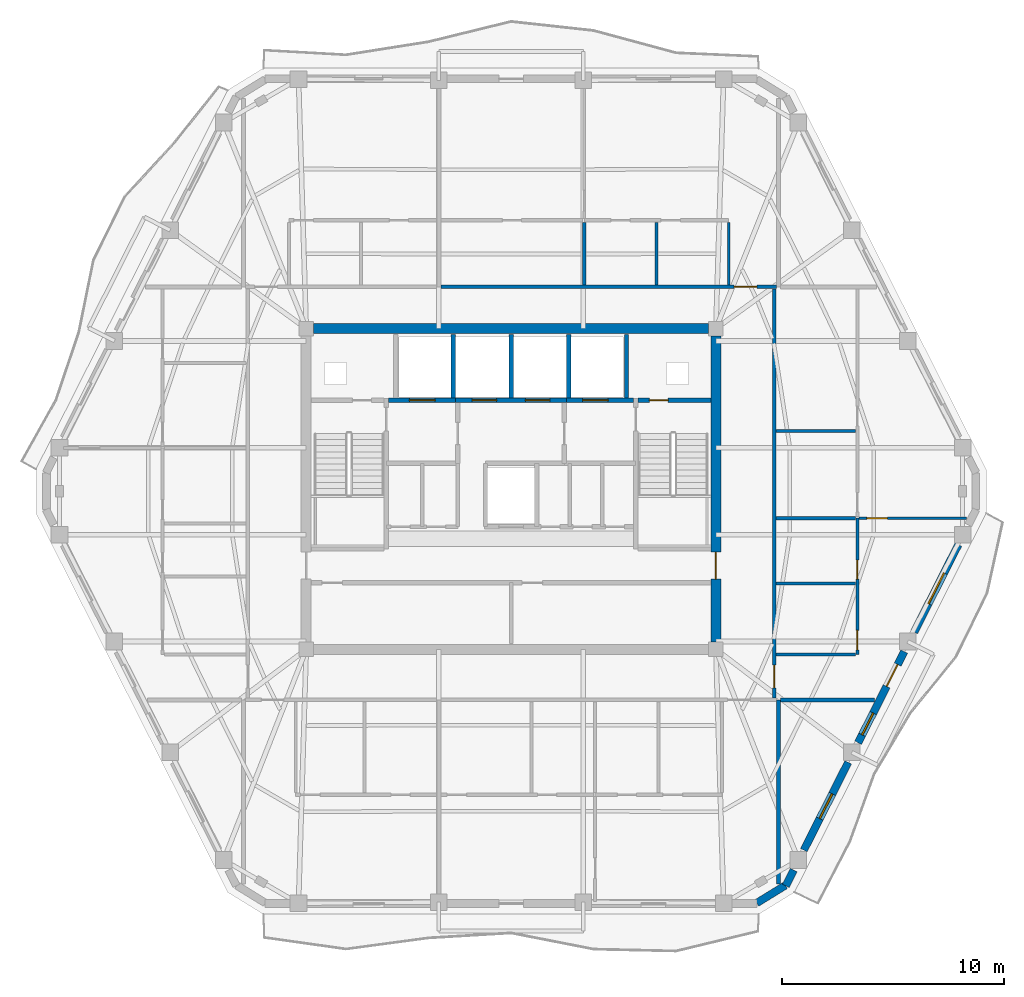
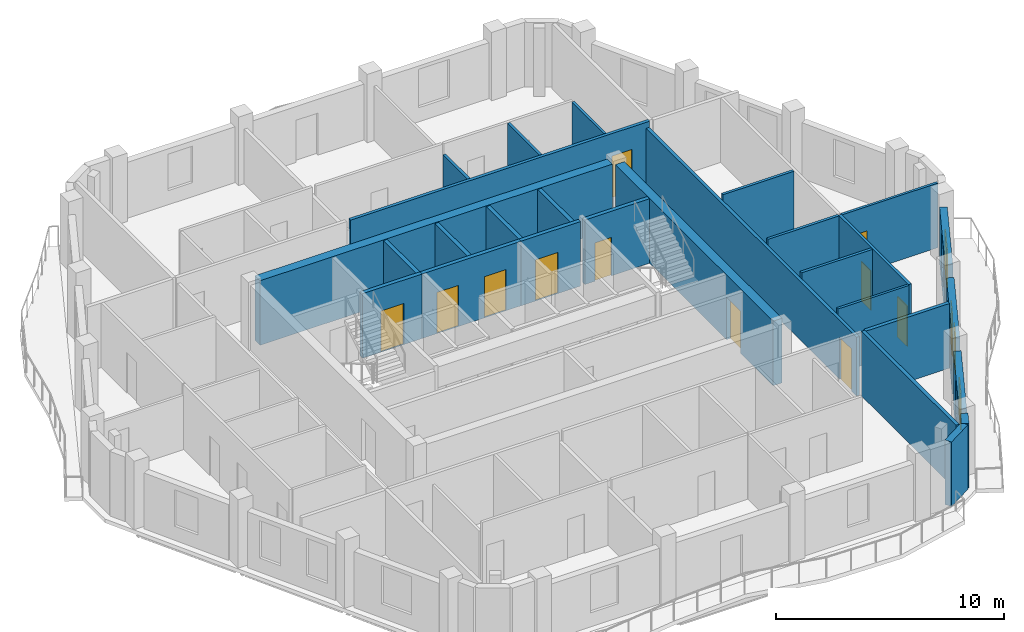
# One storey, part 6 of 11: 28 walls, 12 doors, 3 windows, 15 openings.
"""IFC4 building model written with IfcOpenShell, lengths in metres."""

import ifcopenshell
import ifcopenshell.guid

model = None  # the IFC model being written
_history = None  # IfcOwnerHistory: only IFC2X3 demands one
_inside = {}  # id of a spatial element -> (the spatial element, [elements in it])
_under = {}  # id of a project, library or spatial element -> (it, [spatial elements below it])
_declared = {}  # id of a project -> (the project, [libraries it declares])
_typed = {}  # id of a type object -> (the type object, [elements of that type])
_made_of = {}  # id of a material, layer set ... -> (it, [elements and type objects made of it])


def new_model(schema):
    """Start an empty IFC model of exactly this schema.

    Asked for "IFC4X3", IfcOpenShell would pick the latest addendum, in which some entities
    have other attributes; the version numbers below select the first issue.
    IFC2X3 requires an IfcOwnerHistory on every rooted entity: one is made here for all.
    """
    global model, _history
    if schema == "IFC4X3":
        model = ifcopenshell.file(schema_version=(4, 3, 0, 0))
    else:
        model = ifcopenshell.file(schema=schema)
    _inside.clear()
    _under.clear()
    _declared.clear()
    _typed.clear()
    _made_of.clear()
    _history = None
    if model.schema == "IFC2X3":
        org = make("IfcOrganization", Name="unknown")
        user = make(
            "IfcPersonAndOrganization",
            ThePerson=make("IfcPerson", FamilyName="unknown"),
            TheOrganization=org,
        )
        app = make(
            "IfcApplication",
            ApplicationDeveloper=org,
            Version="unknown",
            ApplicationFullName="unknown",
            ApplicationIdentifier="unknown",
        )
        _history = make(
            "IfcOwnerHistory",
            OwningUser=user,
            OwningApplication=app,
            ChangeAction="ADDED",
            CreationDate=0,
        )
    return model


def make(cls, **values):
    """One entity of the class cls with the attributes given. An attribute that is None is left unset."""
    return model.create_entity(
        cls, **{name: value for name, value in values.items() if value is not None}
    )


def rooted(cls, **values):
    """An entity with a GlobalId (a new one), such as an element, a storey or a relation."""
    return make(cls, GlobalId=ifcopenshell.guid.new(), OwnerHistory=_history, **values)


def si_unit(unit_type, name, prefix=None):
    """IfcSIUnit, for example si_unit("LENGTHUNIT", "METRE", prefix="MILLI")."""
    return make("IfcSIUnit", UnitType=unit_type, Prefix=prefix, Name=name)


def assignment(units):
    """IfcUnitAssignment: the units of a project."""
    return None if units is None else make("IfcUnitAssignment", Units=units)


def point(xyz):
    """IfcCartesianPoint."""
    return None if xyz is None else make("IfcCartesianPoint", Coordinates=xyz)


def direction(xyz):
    """IfcDirection."""
    return None if xyz is None else make("IfcDirection", DirectionRatios=xyz)


def frame(location, z_axis=None, x_axis=None):
    """IfcAxis2Placement3D, a coordinate frame: its origin and axes. An axis left out is left unset."""
    return make(
        "IfcAxis2Placement3D",
        Location=point(location),
        Axis=direction(z_axis),
        RefDirection=direction(x_axis),
    )


def frame_2d(location, x_axis=None):
    """IfcAxis2Placement2D, a coordinate frame in the plane: its origin and x axis."""
    return make(
        "IfcAxis2Placement2D", Location=point(location), RefDirection=direction(x_axis)
    )


def origin():
    """The frame at (0, 0, 0) with its axes left unset."""
    return frame((0.0, 0.0, 0.0))


def place(relative_to, where):
    """IfcLocalPlacement: puts the frame where relative to a parent placement (None: the world)."""
    return make(
        "IfcLocalPlacement", PlacementRelTo=relative_to, RelativePlacement=where
    )


def context(
    kind, dimensions, precision=None, world=None, true_north=None, identifier=None
):
    """IfcGeometricRepresentationContext, for example the 3D "Model" context."""
    return make(
        "IfcGeometricRepresentationContext",
        ContextIdentifier=identifier,
        ContextType=kind,
        CoordinateSpaceDimension=dimensions,
        Precision=precision,
        WorldCoordinateSystem=world,
        TrueNorth=true_north,
    )


def subcontext(parent, identifier, kind, view, scale=None):
    """IfcGeometricRepresentationSubContext, for example "Body" below "Model"."""
    return make(
        "IfcGeometricRepresentationSubContext",
        ContextIdentifier=identifier,
        ContextType=kind,
        ParentContext=parent,
        TargetScale=scale,
        TargetView=view,
    )


def project(units=None, contexts=None):
    """IfcProject with its units and contexts."""
    return rooted(
        "IfcProject",
        Name="project",
        RepresentationContexts=contexts,
        UnitsInContext=assignment(units),
    )


def spatial(cls, under=None, at=None, **own):
    """A site, building, storey or space (cls), placed at a placement, below another one or the project."""
    s = rooted(cls, ObjectPlacement=at, **own)
    if under is not None:
        _under.setdefault(under.id(), (under, []))[1].append(s)
    return s


def profile(cls, at=None, kind="AREA", **sizes):
    """A parametric profile (cls). Its sizes go by their IFC names, for example OverallWidth=200.0."""
    return make(cls, ProfileType=kind, Position=at, **sizes)


def rectangle(**sizes):
    """IfcRectangleProfileDef."""
    return profile("IfcRectangleProfileDef", **sizes)


def extrude(swept, where, along, depth):
    """IfcExtrudedAreaSolid: the profile swept, set in the frame where, extruded along a direction by depth."""
    return make(
        "IfcExtrudedAreaSolid",
        SweptArea=swept,
        Position=where,
        ExtrudedDirection=direction(along),
        Depth=depth,
    )


def shape(context_of_items, identifier, shape_type, items):
    """IfcShapeRepresentation: the items that make up one representation, for example the "Body"."""
    return make(
        "IfcShapeRepresentation",
        ContextOfItems=context_of_items,
        RepresentationIdentifier=identifier,
        RepresentationType=shape_type,
        Items=items,
    )


def material(Name=None, Category=None):
    """IfcMaterial."""
    return make("IfcMaterial", Name=Name, Category=Category)


def layer(
    of_material, thickness, ventilated=None, Name=None, Category=None, Priority=None
):
    """IfcMaterialLayer: one layer of a wall or slab, of a material (None: an air gap)."""
    return make(
        "IfcMaterialLayer",
        Material=of_material,
        LayerThickness=thickness,
        IsVentilated=ventilated,
        Name=Name,
        Category=Category,
        Priority=Priority,
    )


def layer_set(layers, Name=None):
    """IfcMaterialLayerSet."""
    return make("IfcMaterialLayerSet", MaterialLayers=layers, LayerSetName=Name)


def made_of(thing, what):
    """Note that an element or type object is made of a material, layer set ...; save() writes the relation."""
    if what is not None:
        _made_of.setdefault(what.id(), (what, []))[1].append(thing)
    return thing


def type_object(cls, material=None, **own):
    """A type object (cls), such as IfcWallType, which elements share."""
    return made_of(rooted(cls, **own), material)


def element(
    cls,
    number,
    at=None,
    inside=None,
    cuts=None,
    type_object=None,
    material=None,
    context=None,
    identifier="Body",
    shape_type=None,
    held_by="IfcProductDefinitionShape",
    body=None,
    shapes=None,
    **own,
):
    """One element of the class cls, such as IfcWall. Its Tag is "e" and its number.

    at: its placement. inside: the storey or other place that contains it. cuts: it is an
    opening in that element (IfcRelVoidsElement). A single representation is given by context,
    identifier, shape_type and body (its items); several are given by shapes. held_by: the class
    of the entity that holds the representations. save() writes the other relations.
    """
    e = rooted(cls, Tag="e%d" % number, ObjectPlacement=at, **own)
    if body is not None:
        shapes = [shape(context, identifier, shape_type, body)]
    if shapes is not None:
        e.Representation = make(held_by, Representations=shapes)
    if inside is not None:
        _inside.setdefault(inside.id(), (inside, []))[1].append(e)
    if cuts is not None:
        rooted(
            "IfcRelVoidsElement", RelatingBuildingElement=cuts, RelatedOpeningElement=e
        )
    if type_object is not None:
        _typed.setdefault(type_object.id(), (type_object, []))[1].append(e)
    return made_of(e, material)


def fill(opening, filler):
    """IfcRelFillsElement: the door or window that sits in an opening."""
    return rooted(
        "IfcRelFillsElement",
        RelatingOpeningElement=opening,
        RelatedBuildingElement=filler,
    )


def aggregate(whole, parts):
    """IfcRelAggregates: a whole, such as a stair, and the parts it consists of."""
    return rooted("IfcRelAggregates", RelatingObject=whole, RelatedObjects=parts)


def save(model, path):
    """Write the relations noted so far, then the file.

    IfcRelAggregates (storeys below a building ...), IfcRelContainedInSpatialStructure (elements
    in a storey), IfcRelDefinesByType, IfcRelAssociatesMaterial and IfcRelDeclares: one each for
    every whole, place, type object, material and project.
    """
    for whole, parts in _under.values():
        aggregate(whole, parts)
    for where, things in _inside.values():
        rooted(
            "IfcRelContainedInSpatialStructure",
            RelatedElements=things,
            RelatingStructure=where,
        )
    for kind, things in _typed.values():
        rooted("IfcRelDefinesByType", RelatedObjects=things, RelatingType=kind)
    for what, things in _made_of.values():
        rooted("IfcRelAssociatesMaterial", RelatedObjects=things, RelatingMaterial=what)
    for by, libraries in _declared.values():
        rooted("IfcRelDeclares", RelatingContext=by, RelatedDefinitions=libraries)
    model.write(path)


model = new_model("IFC4")

# Units and contexts
model_context = context("Model", 3, precision=1e-05, world=origin(), true_north=direction((0.0, 1.0)))
body_context = subcontext(model_context, "Body", "Model", "MODEL_VIEW")
ifc_project = project(units=[si_unit("LENGTHUNIT", "METRE"), si_unit("AREAUNIT", "SQUARE_METRE"), si_unit("VOLUMEUNIT", "CUBIC_METRE"), si_unit("PLANEANGLEUNIT", "RADIAN"), si_unit("MASSUNIT", "GRAM", prefix="KILO")], contexts=[model_context])

# Site, building, storey
site_placement = place(None, origin())
site = spatial("IfcSite", under=ifc_project, at=site_placement, CompositionType="ELEMENT")
building_placement = place(site_placement, origin())
building = spatial("IfcBuilding", under=site, at=building_placement, Name="Cinnabar Lancet Tower", CompositionType="ELEMENT")
storey_placement = place(building_placement, frame((0.0, 0.0, 230.64990234375)))
storey = spatial("IfcBuildingStorey", under=building, at=storey_placement, Name="L61", CompositionType="ELEMENT", Elevation=230.64990234375)

# Wall, opening, door
ifc_material_1 = material(Name="Acoustic twin-stud gypsum partition", Category="gypsum")
ifc_layer_1 = layer(ifc_material_1, 0.159912109375)
ifc_layer_set_1 = layer_set([ifc_layer_1], Name="Acoustic twin-stud gypsum partition")
wall_type_1 = type_object("IfcWallType", Name="ARC-WL-CORR-160", PredefinedType="PARTITIONING", material=ifc_layer_set_1)
wall_1_placement = place(storey_placement, frame((29.240966796875, 35.0, 0.0), z_axis=(0.0, 0.0, 1.0), x_axis=(1.0, 0.0, 0.0)))
wall_1 = element("IfcWall", 1, at=wall_1_placement, inside=storey, type_object=wall_type_1, Name="L61 Unit N02 Corridor Wall", PredefinedType="PARTITIONING", context=body_context, shape_type="SweptSolid", body=[
    extrude(rectangle(XDim=15.114013671875, YDim=0.159912109375, at=frame_2d((7.55712890625, 0.0))), origin(), (0.0, 0.0, 1.0), 3.4501953125),
])
opening_1_placement = place(wall_1_placement, frame((13.208984375, 0.0, 0.0)))
opening_1 = element("IfcOpeningElement", 2, at=opening_1_placement, cuts=wall_1, Name="Opening UD-01", PredefinedType="OPENING", context=body_context, shape_type="SweptSolid", body=[
    extrude(rectangle(XDim=1.02001953125, YDim=2.25, at=frame_2d((0.510009765625, 1.125))), frame((0.0, 0.08984375, 0.0), z_axis=(0.0, -1.0, 0.0), x_axis=(1.0, 0.0, 0.0)), (0.0, 0.0, 1.0), 0.179931640625),
])
ifc_material_2 = material(Name="Solid timber fire-rated apartment entrance door", Category="wood")
door_type_1 = type_object("IfcDoorType", Name="ARC-DR-UNIT", OperationType="NOTDEFINED", PredefinedType="DOOR", material=ifc_material_2)
door_1_placement = place(opening_1_placement, origin())
door_1 = element("IfcDoor", 3, at=door_1_placement, inside=storey, type_object=door_type_1, Name="DR-L61-N02-ENT", OperationType="SINGLE_SWING_LEFT", OverallHeight=2.25, OverallWidth=1.02001953125, PredefinedType="DOOR", context=body_context, shape_type="SweptSolid", body=[
    extrude(rectangle(XDim=1.02001953125, YDim=2.25, at=frame_2d((0.510009765625, 1.125))), frame((0.0, 0.02490234375, 0.0), z_axis=(0.0, -1.0, 0.0), x_axis=(1.0, 0.0, 0.0)), (0.0, 0.0, 1.0), 0.050048828125),
])
fill(opening_1, door_1)

wall_2_placement = place(storey_placement, frame((44.25, 16.4951171875, 0.0), z_axis=(0.0, 0.0, 1.0), x_axis=(0.0, 1.0, 0.0)))
wall_2 = element("IfcWall", 4, at=wall_2_placement, inside=storey, type_object=wall_type_1, Name="UW-L61-E01-COR", PredefinedType="PARTITIONING", context=body_context, shape_type="SweptSolid", body=[
    extrude(rectangle(XDim=18.409912109375, YDim=0.159912109375, at=frame_2d((9.205078125, 0.0))), origin(), (0.0, 0.0, 1.0), 3.13720703125),
])
opening_2_placement = place(wall_2_placement, frame((0.449951171875, 0.0, 0.0)))
opening_2 = element("IfcOpeningElement", 5, at=opening_2_placement, cuts=wall_2, Name="Opening UD-01", PredefinedType="OPENING", context=body_context, shape_type="SweptSolid", body=[
    extrude(rectangle(XDim=1.02001953125, YDim=2.25, at=frame_2d((0.510009765625, 1.125))), frame((0.0, 0.08984375, 0.0), z_axis=(0.0, -1.0, 0.0), x_axis=(1.0, 0.0, 0.0)), (0.0, 0.0, 1.0), 0.179931640625),
])
door_2_placement = place(opening_2_placement, origin())
door_2 = element("IfcDoor", 6, at=door_2_placement, inside=storey, type_object=door_type_1, Name="DR-L61-E01-ENT", OperationType="SINGLE_SWING_RIGHT", OverallHeight=2.25, OverallWidth=1.02001953125, PredefinedType="DOOR", context=body_context, shape_type="SweptSolid", body=[
    extrude(rectangle(XDim=1.02001953125, YDim=2.25, at=frame_2d((0.510009765625, 1.125))), frame((0.0, 0.02490234375, 0.0), z_axis=(0.0, -1.0, 0.0), x_axis=(1.0, 0.0, 0.0)), (0.0, 0.0, 1.0), 0.050048828125),
])
fill(opening_2, door_2)

# Walls
ifc_material_3 = material(Name="Fire-rated twin-frame acoustic drywall", Category="gypsum")
ifc_layer_2 = layer(ifc_material_3, 0.179931640625)
ifc_layer_set_2 = layer_set([ifc_layer_2], Name="Fire-rated twin-frame acoustic drywall")
wall_type_2 = type_object("IfcWallType", Name="ARC-WL-PARTY-180", PredefinedType="PARTITIONING", material=ifc_layer_set_2)
wall_3_placement = place(storey_placement, frame((44.449951171875, 8.118896484375, 0.0), z_axis=(0.0, 0.0, 1.0), x_axis=(0.0, 1.0, 0.0)))
element("IfcWall", 7, at=wall_3_placement, inside=storey, type_object=wall_type_2, Name="PW-L61-SPTY-444", PredefinedType="PARTITIONING", context=body_context, shape_type="SweptSolid", body=[
    extrude(rectangle(XDim=8.281005859375, YDim=0.179931640625, at=frame_2d((4.140625, 0.0))), origin(), (0.0, 0.0, 1.0), 3.4501953125),
])
wall_4_placement = place(storey_placement, frame((44.544921875, 16.39990234375, 0.0), z_axis=(0.0, 0.0, 1.0), x_axis=(1.0, 0.0, 0.0)))
element("IfcWall", 8, at=wall_4_placement, inside=storey, type_object=wall_type_2, Name="PW-L61-ESB", PredefinedType="PARTITIONING", context=body_context, shape_type="SweptSolid", body=[
    extrude(rectangle(XDim=4.22119140625, YDim=0.179931640625, at=frame_2d((2.110595703125, 0.0))), origin(), (0.0, 0.0, 1.0), 3.4501953125),
])

# Wall, opening, door
ifc_material_4 = material(Name="Autoclaved aerated concrete blockwork", Category="masonry")
ifc_layer_3 = layer(ifc_material_4, 0.199951171875)
ifc_layer_set_3 = layer_set([ifc_layer_3], Name="Autoclaved aerated concrete blockwork")
wall_type_3 = type_object("IfcWallType", Name="ARC-WL-SHAFT-200", PredefinedType="PLUMBINGWALL", material=ifc_layer_set_3)
wall_5_placement = place(storey_placement, frame((26.885009765625, 29.89990234375, 0.0), z_axis=(0.0, 0.0, 1.0), x_axis=(1.0, 0.0, 0.0)))
wall_5 = element("IfcWall", 9, at=wall_5_placement, inside=storey, type_object=wall_type_3, Name="CW-FL1-L61", PredefinedType="PLUMBINGWALL", context=body_context, shape_type="SweptSolid", body=[
    extrude(rectangle(XDim=3.014892578125, YDim=0.199951171875, at=frame_2d((1.50732421875, 0.0))), origin(), (0.0, 0.0, 1.0), 3.4501953125),
])
opening_3_placement = place(wall_5_placement, frame((0.93994140625, 0.0, 0.0)))
opening_3 = element("IfcOpeningElement", 10, at=opening_3_placement, cuts=wall_5, Name="Opening LD-02", PredefinedType="OPENING", context=body_context, shape_type="SweptSolid", body=[
    extrude(rectangle(XDim=1.14990234375, YDim=2.199951171875, at=frame_2d((0.574951171875, 1.10009765625))), frame((0.0, 0.10986328125, 0.0), z_axis=(0.0, -1.0, 0.0), x_axis=(1.0, 0.0, 0.0)), (0.0, 0.0, 1.0), 0.219970703125),
])
ifc_material_5 = material(Name="Fire-rated stainless steel firefighting lift landing door", Category="steel")
door_type_2 = type_object("IfcDoorType", Name="ARC-DR-LD-FIRE", OperationType="NOTDEFINED", PredefinedType="DOOR", material=ifc_material_5)
door_3_placement = place(opening_3_placement, origin())
door_3 = element("IfcDoor", 11, at=door_3_placement, inside=storey, type_object=door_type_2, Name="L61 Firefighting Lift FL-1 Landing Door", OperationType="DOUBLE_DOOR_SLIDING", OverallHeight=2.199951171875, OverallWidth=1.14990234375, PredefinedType="DOOR", context=body_context, shape_type="SweptSolid", body=[
    extrude(rectangle(XDim=1.14990234375, YDim=2.199951171875, at=frame_2d((0.574951171875, 1.10009765625))), frame((0.0, 0.02490234375, 0.0), z_axis=(0.0, -1.0, 0.0), x_axis=(1.0, 0.0, 0.0)), (0.0, 0.0, 1.0), 0.050048828125),
])
fill(opening_3, door_3)

# Wall, openings, doors
wall_6_placement = place(storey_placement, frame((29.89990234375, 29.89990234375, 0.0), z_axis=(0.0, 0.0, 1.0), x_axis=(1.0, 0.0, 0.0)))
wall_6 = element("IfcWall", 12, at=wall_6_placement, inside=storey, type_object=wall_type_3, Name="CW-PL78-L61", PredefinedType="PLUMBINGWALL", context=body_context, shape_type="SweptSolid", body=[
    extrude(rectangle(XDim=5.0, YDim=0.199951171875, at=frame_2d((2.5, 0.0))), origin(), (0.0, 0.0, 1.0), 3.4501953125),
])
opening_4_placement = place(wall_6_placement, frame((0.75, 0.0, 0.0)))
opening_4 = element("IfcOpeningElement", 13, at=opening_4_placement, cuts=wall_6, Name="Opening LD-01", PredefinedType="OPENING", context=body_context, shape_type="SweptSolid", body=[
    extrude(rectangle(XDim=1.10009765625, YDim=2.199951171875, at=frame_2d((0.550048828125, 1.10009765625))), frame((0.0, 0.10986328125, 0.0), z_axis=(0.0, -1.0, 0.0), x_axis=(1.0, 0.0, 0.0)), (0.0, 0.0, 1.0), 0.219970703125),
])
opening_5_placement = place(wall_6_placement, frame((3.14990234375, 0.0, 0.0)))
opening_5 = element("IfcOpeningElement", 14, at=opening_5_placement, cuts=wall_6, Name="Opening LD-01", PredefinedType="OPENING", context=body_context, shape_type="SweptSolid", body=[
    extrude(rectangle(XDim=1.10009765625, YDim=2.199951171875, at=frame_2d((0.550048828125, 1.10009765625))), frame((0.0, 0.10986328125, 0.0), z_axis=(0.0, -1.0, 0.0), x_axis=(1.0, 0.0, 0.0)), (0.0, 0.0, 1.0), 0.219970703125),
])
ifc_material_6 = material(Name="Brushed stainless steel sliding lift door", Category="steel")
door_type_3 = type_object("IfcDoorType", Name="ARC-DR-LD-PASS", OperationType="NOTDEFINED", PredefinedType="DOOR", material=ifc_material_6)
door_4_placement = place(opening_4_placement, origin())
door_4 = element("IfcDoor", 15, at=door_4_placement, inside=storey, type_object=door_type_3, Name="L61 Lift PL-7 Landing Door", OperationType="DOUBLE_DOOR_SLIDING", OverallHeight=2.199951171875, OverallWidth=1.10009765625, PredefinedType="DOOR", context=body_context, shape_type="SweptSolid", body=[
    extrude(rectangle(XDim=1.10009765625, YDim=2.199951171875, at=frame_2d((0.550048828125, 1.10009765625))), frame((0.0, 0.02490234375, 0.0), z_axis=(0.0, -1.0, 0.0), x_axis=(1.0, 0.0, 0.0)), (0.0, 0.0, 1.0), 0.050048828125),
])
fill(opening_4, door_4)
door_5_placement = place(opening_5_placement, origin())
door_5 = element("IfcDoor", 16, at=door_5_placement, inside=storey, type_object=door_type_3, Name="L61 Lift PL-8 Landing Door", OperationType="DOUBLE_DOOR_SLIDING", OverallHeight=2.199951171875, OverallWidth=1.10009765625, PredefinedType="DOOR", context=body_context, shape_type="SweptSolid", body=[
    extrude(rectangle(XDim=1.10009765625, YDim=2.199951171875, at=frame_2d((0.550048828125, 1.10009765625))), frame((0.0, 0.02490234375, 0.0), z_axis=(0.0, -1.0, 0.0), x_axis=(1.0, 0.0, 0.0)), (0.0, 0.0, 1.0), 0.050048828125),
])
fill(opening_5, door_5)

# Wall, opening, door
wall_7_placement = place(storey_placement, frame((34.89990234375, 29.89990234375, 0.0), z_axis=(0.0, 0.0, 1.0), x_axis=(1.0, 0.0, 0.0)))
wall_7 = element("IfcWall", 17, at=wall_7_placement, inside=storey, type_object=wall_type_3, Name="CW-FL2-L61", PredefinedType="PLUMBINGWALL", context=body_context, shape_type="SweptSolid", body=[
    extrude(rectangle(XDim=3.01513671875, YDim=0.199951171875, at=frame_2d((1.507568359375, 0.0))), origin(), (0.0, 0.0, 1.0), 3.4501953125),
])
opening_6_placement = place(wall_7_placement, frame((0.72509765625, 0.0, 0.0)))
opening_6 = element("IfcOpeningElement", 18, at=opening_6_placement, cuts=wall_7, Name="Opening LD-02", PredefinedType="OPENING", context=body_context, shape_type="SweptSolid", body=[
    extrude(rectangle(XDim=1.14990234375, YDim=2.199951171875, at=frame_2d((0.574951171875, 1.10009765625))), frame((0.0, 0.10986328125, 0.0), z_axis=(0.0, -1.0, 0.0), x_axis=(1.0, 0.0, 0.0)), (0.0, 0.0, 1.0), 0.219970703125),
])
door_6_placement = place(opening_6_placement, origin())
door_6 = element("IfcDoor", 19, at=door_6_placement, inside=storey, type_object=door_type_2, Name="L61 Firefighting Lift FL-2 Landing Door", OperationType="DOUBLE_DOOR_SLIDING", OverallHeight=2.199951171875, OverallWidth=1.14990234375, PredefinedType="DOOR", context=body_context, shape_type="SweptSolid", body=[
    extrude(rectangle(XDim=1.14990234375, YDim=2.199951171875, at=frame_2d((0.574951171875, 1.10009765625))), frame((0.0, 0.02490234375, 0.0), z_axis=(0.0, -1.0, 0.0), x_axis=(1.0, 0.0, 0.0)), (0.0, 0.0, 1.0), 0.050048828125),
])
fill(opening_6, door_6)

wall_8_placement = place(storey_placement, frame((38.125, 29.89990234375, 0.0), z_axis=(0.0, 0.0, 1.0), x_axis=(1.0, 0.0, 0.0)))
wall_8 = element("IfcWall", 20, at=wall_8_placement, inside=storey, type_object=wall_type_3, Name="CW-NSH-E-L61", PredefinedType="PLUMBINGWALL", context=body_context, shape_type="SweptSolid", body=[
    extrude(rectangle(XDim=3.27001953125, YDim=0.199951171875, at=frame_2d((1.635009765625, 0.0))), origin(), (0.0, 0.0, 1.0), 3.4501953125),
])
opening_7_placement = place(wall_8_placement, frame((0.5, 0.0, 0.0)))
opening_7 = element("IfcOpeningElement", 21, at=opening_7_placement, cuts=wall_8, Name="Opening PD-02", PredefinedType="OPENING", context=body_context, shape_type="SweptSolid", body=[
    extrude(rectangle(XDim=0.85009765625, YDim=2.050048828125, at=frame_2d((0.425048828125, 1.02490234375))), frame((0.0, 0.10986328125, 0.0), z_axis=(0.0, -1.0, 0.0), x_axis=(1.0, 0.0, 0.0)), (0.0, 0.0, 1.0), 0.219970703125),
])
ifc_material_7 = material(Name="Fire-rated steel riser access door", Category="steel")
door_type_4 = type_object("IfcDoorType", Name="ARC-DR-RISER", OperationType="NOTDEFINED", PredefinedType="DOOR", material=ifc_material_7)
door_7_placement = place(opening_7_placement, origin())
door_7 = element("IfcDoor", 22, at=door_7_placement, inside=storey, type_object=door_type_4, Name="L61 East Riser Access Door", OperationType="SINGLE_SWING_RIGHT", OverallHeight=2.050048828125, OverallWidth=0.85009765625, PredefinedType="DOOR", context=body_context, shape_type="SweptSolid", body=[
    extrude(rectangle(XDim=0.85009765625, YDim=2.050048828125, at=frame_2d((0.425048828125, 1.02490234375))), frame((0.0, 0.02490234375, 0.0), z_axis=(0.0, -1.0, 0.0), x_axis=(1.0, 0.0, 0.0)), (0.0, 0.0, 1.0), 0.050048828125),
])
fill(opening_7, door_7)

# Walls
for number, where, z_axis, x_axis, name in (
    (23, (29.800048828125, 30.0, 0.0), (0.0, 0.0, 1.0), (0.0, 1.0, 0.0), "CW-NSH-D2-L61"),
    (24, (32.39990234375, 30.0, 0.0), (0.0, 0.0, 1.0), (0.0, 1.0, 0.0), "CW-NSH-D3-L61"),
    (25, (35.0, 30.0, 0.0), (0.0, 0.0, 1.0), (0.0, 1.0, 0.0), "CW-NSH-D4-L61"),
    (26, (37.60009765625, 30.0, 0.0), (0.0, 0.0, 1.0), (0.0, 1.0, 0.0), "CW-NSH-D5-L61"),
):
    element("IfcWall", number, at=place(storey_placement, frame(where, z_axis=z_axis, x_axis=x_axis)), inside=storey, type_object=wall_type_3, Name=name, PredefinedType="PLUMBINGWALL", context=body_context, shape_type="SweptSolid", body=[
        extrude(rectangle(XDim=2.85009765625, YDim=0.199951171875, at=frame_2d((1.425048828125, 0.0))), origin(), (0.0, 0.0, 1.0), 3.4501953125),
    ])
ifc_material_8 = material(Name="Gypsum plasterboard stud partition", Category="gypsum")
ifc_layer_4 = layer(ifc_material_8, 0.125)
ifc_layer_set_4 = layer_set([ifc_layer_4], Name="Gypsum plasterboard stud partition")
wall_type_4 = type_object("IfcWallType", Name="ARC-WL-UNIT-125", PredefinedType="PARTITIONING", material=ifc_layer_set_4)
wall_9_placement = place(storey_placement, frame((42.199951171875, 35.0849609375, 0.0), z_axis=(0.0, 0.0, 1.0), x_axis=(0.0, 1.0, 0.0)))
element("IfcWall", 27, at=wall_9_placement, inside=storey, type_object=wall_type_4, Name="UW-L61-N02-FOYW", PredefinedType="PARTITIONING", context=body_context, shape_type="SweptSolid", body=[
    extrude(rectangle(XDim=2.81103515625, YDim=0.125, at=frame_2d((1.405517578125, 0.0))), origin(), (0.0, 0.0, 1.0), 3.4501953125),
])
wall_10_placement = place(storey_placement, frame((44.3349609375, 18.449951171875, 0.0), z_axis=(0.0, 0.0, 1.0), x_axis=(1.0, 0.0, 0.0)))
element("IfcWall", 28, at=wall_10_placement, inside=storey, type_object=wall_type_4, Name="UW-L61-E01-FOYN", PredefinedType="PARTITIONING", context=body_context, shape_type="SweptSolid", body=[
    extrude(rectangle(XDim=3.580078125, YDim=0.125, at=frame_2d((1.7900390625, 0.0))), origin(), (0.0, 0.0, 1.0), 3.4501953125),
])

# Wall, opening, door
wall_11_placement = place(storey_placement, frame((48.074951171875, 24.583984375, 0.0), z_axis=(0.0, 0.0, 1.0), x_axis=(1.0, 0.0, 0.0)))
wall_11 = element("IfcWall", 29, at=wall_11_placement, inside=storey, type_object=wall_type_4, Name="UW-L61-E01-MBN", PredefinedType="PARTITIONING", context=body_context, shape_type="SweptSolid", body=[
    extrude(rectangle(XDim=4.844970703125, YDim=0.125, at=frame_2d((2.42236328125, 0.0))), origin(), (0.0, 0.0, 1.0), 3.4501953125),
])
opening_8_placement = place(wall_11_placement, frame((0.35009765625, 0.0, 0.0)))
opening_8 = element("IfcOpeningElement", 30, at=opening_8_placement, cuts=wall_11, Name="Opening RD-01", PredefinedType="OPENING", context=body_context, shape_type="SweptSolid", body=[
    extrude(rectangle(XDim=0.919921875, YDim=2.14990234375, at=frame_2d((0.4599609375, 1.074951171875))), frame((0.0, 0.072509765625, 0.0), z_axis=(0.0, -1.0, 0.0), x_axis=(1.0, 0.0, 0.0)), (0.0, 0.0, 1.0), 0.14501953125),
])
ifc_material_9 = material(Name="Engineered timber bedroom door", Category="wood")
door_type_5 = type_object("IfcDoorType", Name="ARC-DR-ROOM", OperationType="NOTDEFINED", PredefinedType="DOOR", material=ifc_material_9)
door_8_placement = place(opening_8_placement, origin())
door_8 = element("IfcDoor", 31, at=door_8_placement, inside=storey, type_object=door_type_5, Name="DR-L61-E01-MBD", OperationType="SINGLE_SWING_RIGHT", OverallHeight=2.14990234375, OverallWidth=0.919921875, PredefinedType="DOOR", context=body_context, shape_type="SweptSolid", body=[
    extrude(rectangle(XDim=0.919921875, YDim=2.14990234375, at=frame_2d((0.4599609375, 1.074951171875))), frame((0.0, 0.02490234375, 0.0), z_axis=(0.0, -1.0, 0.0), x_axis=(1.0, 0.0, 0.0)), (0.0, 0.0, 1.0), 0.050048828125),
])
fill(opening_8, door_8)

# Walls
ifc_material_10 = material(Name="Moisture-resistant cement-board plumbing wall", Category="masonry")
ifc_layer_5 = layer(ifc_material_10, 0.139892578125)
ifc_layer_set_5 = layer_set([ifc_layer_5], Name="Moisture-resistant cement-board plumbing wall")
wall_type_5 = type_object("IfcWallType", Name="ARC-WL-WET-140", PredefinedType="PLUMBINGWALL", material=ifc_layer_set_5)
wall_12_placement = place(storey_placement, frame((38.948974609375, 35.0849609375, 0.0), z_axis=(0.0, 0.0, 1.0), x_axis=(0.0, 1.0, 0.0)))
element("IfcWall", 32, at=wall_12_placement, inside=storey, type_object=wall_type_5, Name="UW-L61-N02-KBD", PredefinedType="PLUMBINGWALL", context=body_context, shape_type="SweptSolid", body=[
    extrude(rectangle(XDim=2.81103515625, YDim=0.139892578125, at=frame_2d((1.405517578125, 0.0))), origin(), (0.0, 0.0, 1.0), 3.4501953125),
])
wall_13_placement = place(storey_placement, frame((35.697021484375, 35.0849609375, 0.0), z_axis=(0.0, 0.0, 1.0), x_axis=(0.0, 1.0, 0.0)))
element("IfcWall", 33, at=wall_13_placement, inside=storey, type_object=wall_type_5, Name="UW-L61-N02-ENSW", PredefinedType="PLUMBINGWALL", context=body_context, shape_type="SweptSolid", body=[
    extrude(rectangle(XDim=2.81103515625, YDim=0.139892578125, at=frame_2d((1.405517578125, 0.0))), origin(), (0.0, 0.0, 1.0), 2.906982421875),
])

# Wall, openings, doors
wall_14_placement = place(storey_placement, frame((48.0, 18.449951171875, 0.0), z_axis=(0.0, 0.0, 1.0), x_axis=(0.0, 1.0, 0.0)))
wall_14 = element("IfcWall", 34, at=wall_14_placement, inside=storey, type_object=wall_type_5, Name="UW-L61-E01-SPL", PredefinedType="PLUMBINGWALL", context=body_context, shape_type="SweptSolid", body=[
    extrude(rectangle(XDim=6.134033203125, YDim=0.139892578125, at=frame_2d((3.06689453125, 0.0))), origin(), (0.0, 0.0, 1.0), 3.4501953125),
])
opening_9_placement = place(wall_14_placement, frame((0.199951171875, 0.0, 0.0)))
opening_9 = element("IfcOpeningElement", 35, at=opening_9_placement, cuts=wall_14, Name="Opening RD-02", PredefinedType="OPENING", context=body_context, shape_type="SweptSolid", body=[
    extrude(rectangle(XDim=0.8798828125, YDim=2.14990234375, at=frame_2d((0.43994140625, 1.074951171875))), frame((0.0, 0.079833984375, 0.0), z_axis=(0.0, -1.0, 0.0), x_axis=(1.0, 0.0, 0.0)), (0.0, 0.0, 1.0), 0.159912109375),
])
opening_10_placement = place(wall_14_placement, frame((3.389892578125, 0.0, 0.0)))
opening_10 = element("IfcOpeningElement", 36, at=opening_10_placement, cuts=wall_14, Name="Opening BD-01", PredefinedType="OPENING", context=body_context, shape_type="SweptSolid", body=[
    extrude(rectangle(XDim=0.860107421875, YDim=2.10009765625, at=frame_2d((0.43017578125, 1.050048828125))), frame((0.0, 0.079833984375, 0.0), z_axis=(0.0, -1.0, 0.0), x_axis=(1.0, 0.0, 0.0)), (0.0, 0.0, 1.0), 0.159912109375),
])
ifc_material_11 = material(Name="Moisture-resistant timber bathroom door", Category="wood")
door_type_6 = type_object("IfcDoorType", Name="ARC-DR-BATH", OperationType="NOTDEFINED", PredefinedType="DOOR", material=ifc_material_11)
door_9_placement = place(opening_10_placement, origin())
door_9 = element("IfcDoor", 37, at=door_9_placement, inside=storey, type_object=door_type_6, Name="DR-L61-E01-BTH", OperationType="SINGLE_SWING_RIGHT", OverallHeight=2.10009765625, OverallWidth=0.860107421875, PredefinedType="DOOR", context=body_context, shape_type="SweptSolid", body=[
    extrude(rectangle(XDim=0.860107421875, YDim=2.10009765625, at=frame_2d((0.43017578125, 1.050048828125))), frame((0.0, 0.02490234375, 0.0), z_axis=(0.0, -1.0, 0.0), x_axis=(1.0, 0.0, 0.0)), (0.0, 0.0, 1.0), 0.050048828125),
])
fill(opening_10, door_9)
ifc_material_12 = material(Name="Engineered timber study door", Category="wood")
door_type_7 = type_object("IfcDoorType", Name="ARC-DR-STUDY", OperationType="NOTDEFINED", PredefinedType="DOOR", material=ifc_material_12)
door_10_placement = place(opening_9_placement, origin())
door_10 = element("IfcDoor", 38, at=door_10_placement, inside=storey, type_object=door_type_7, Name="DR-L61-E01-KIT", OperationType="SINGLE_SWING_LEFT", OverallHeight=2.14990234375, OverallWidth=0.8798828125, PredefinedType="DOOR", context=body_context, shape_type="SweptSolid", body=[
    extrude(rectangle(XDim=0.8798828125, YDim=2.14990234375, at=frame_2d((0.43994140625, 1.074951171875))), frame((0.0, 0.02490234375, 0.0), z_axis=(0.0, -1.0, 0.0), x_axis=(1.0, 0.0, 0.0)), (0.0, 0.0, 1.0), 0.050048828125),
])
fill(opening_9, door_10)

# Walls
for number, where, z_axis, x_axis, name in (
    (39, (44.3349609375, 24.583984375, 0.0), (0.0, 0.0, 1.0), (1.0, 0.0, 0.0), "UW-L61-E01-ENSN"),
    (40, (44.3349609375, 21.639892578125, 0.0), (0.0, 0.0, 1.0), (1.0, 0.0, 0.0), "UW-L61-E01-KDV"),
    (41, (44.3349609375, 28.52001953125, 0.0), (0.0, 0.0, 1.0), (1.0, 0.0, 0.0), "UW-L61-E01-EWDV"),
):
    element("IfcWall", number, at=place(storey_placement, frame(where, z_axis=z_axis, x_axis=x_axis)), inside=storey, type_object=wall_type_5, Name=name, PredefinedType="PLUMBINGWALL", context=body_context, shape_type="SweptSolid", body=[
        extrude(rectangle(XDim=3.580078125, YDim=0.139892578125, at=frame_2d((1.7900390625, 0.0))), origin(), (0.0, 0.0, 1.0), 3.4501953125),
    ])
ifc_material_13 = material(Name="Cinnabar red clay brick", Category="masonry")
ifc_layer_6 = layer(ifc_material_13, 0.340087890625)
ifc_layer_set_6 = layer_set([ifc_layer_6], Name="Cinnabar red clay brick")
wall_type_6 = type_object("IfcWallType", Name="ENV-WL-BRK-RED-340", PredefinedType="STANDARD", material=ifc_layer_set_6)
wall_15_placement = place(storey_placement, frame((43.468994140625, 7.2548828125, 0.0), z_axis=(0.0, 0.0, 1.0), x_axis=(0.851680557619, 0.52406128246, 0.0)))
element("IfcWall", 42, at=wall_15_placement, inside=storey, type_object=wall_type_6, Name="L61 Chamfered Corner Brick Pier 2.1", PredefinedType="STANDARD", context=body_context, shape_type="SweptSolid", body=[
    extrude(rectangle(XDim=1.507568359375, YDim=0.340087890625, at=frame_2d((0.75390625, 0.0))), origin(), (0.0, 0.0, 1.0), 3.4501953125),
])
wall_16_placement = place(storey_placement, frame((44.77294921875, 8.029052734375, 0.0), z_axis=(0.0, 0.0, 1.0), x_axis=(0.451159191899, 0.892443490404, 0.0)))
element("IfcWall", 43, at=wall_16_placement, inside=storey, type_object=wall_type_6, Name="L61 Face 2 Masonry Bay Wall 1", PredefinedType="STANDARD", context=body_context, shape_type="SweptSolid", body=[
    extrude(rectangle(XDim=0.791259765625, YDim=0.340087890625, at=frame_2d((0.3955078125, 0.0))), origin(), (0.0, 0.0, 1.0), 3.4501953125),
])

# Wall, opening, window
wall_17_placement = place(storey_placement, frame((45.5859375, 9.636962890625, 0.0), z_axis=(0.0, 0.0, 1.0), x_axis=(0.451440846853, 0.892301048858, 0.0)))
wall_17 = element("IfcWall", 44, at=wall_17_placement, inside=storey, type_object=wall_type_6, Name="L61 Face 2 Masonry Bay Wall 2", PredefinedType="STANDARD", context=body_context, shape_type="SweptSolid", body=[
    extrude(rectangle(XDim=4.43017578125, YDim=0.340087890625, at=frame_2d((2.215087890625, 0.0))), origin(), (0.0, 0.0, 1.0), 2.983154296875),
])
opening_11_placement = place(wall_17_placement, frame((1.590087890625, 0.0, 0.75)))
opening_11 = element("IfcOpeningElement", 45, at=opening_11_placement, cuts=wall_17, Name="Opening WN-03", PredefinedType="OPENING", context=body_context, shape_type="SweptSolid", body=[
    extrude(rectangle(XDim=1.25, YDim=1.949951171875, at=frame_2d((0.625, 0.97509765625))), frame((0.0, 0.179931640625, 0.0), z_axis=(0.0, -1.0, 0.0), x_axis=(1.0, 0.0, 0.0)), (0.0, 0.0, 1.0), 0.360107421875),
])
ifc_material_14 = material(Name="Thermally broken bronze-anodized aluminium low-E double glazing", Category="aluminium")
window_type_1 = type_object("IfcWindowType", Name="ENV-WN-LANCET-1250", PartitioningType="SINGLE_PANEL", PredefinedType="WINDOW", material=ifc_material_14)
window_1_placement = place(opening_11_placement, origin())
window_1 = element("IfcWindow", 46, at=window_1_placement, inside=storey, type_object=window_type_1, Name="L61 Face 2 Gothic Lancet Window 2", OverallHeight=1.949951171875, OverallWidth=1.25, PartitioningType="SINGLE_PANEL", PredefinedType="WINDOW", context=body_context, shape_type="SweptSolid", body=[
    extrude(rectangle(XDim=1.25, YDim=1.949951171875, at=frame_2d((0.625, 0.97509765625))), frame((0.0, 0.030029296875, 0.0), z_axis=(0.0, -1.0, 0.0), x_axis=(1.0, 0.0, 0.0)), (0.0, 0.0, 1.0), 0.06005859375),
])
fill(opening_11, window_1)

# Wall, openings, door, window
wall_18_placement = place(storey_placement, frame((48.031982421875, 14.472900390625, 0.0), z_axis=(0.0, 0.0, 1.0), x_axis=(0.451539564999, 0.892251097641, 0.0)))
wall_18 = element("IfcWall", 47, at=wall_18_placement, inside=storey, type_object=wall_type_6, Name="L61 Face 2 Masonry Bay Wall 3", PredefinedType="STANDARD", context=body_context, shape_type="SweptSolid", body=[
    extrude(rectangle(XDim=4.599609375, YDim=0.340087890625, at=frame_2d((2.2998046875, 0.0))), origin(), (0.0, 0.0, 1.0), 2.983154296875),
])
opening_12_placement = place(wall_18_placement, frame((2.845947265625, 0.0, 0.0)))
opening_12 = element("IfcOpeningElement", 48, at=opening_12_placement, cuts=wall_18, Name="Opening TD-01", PredefinedType="OPENING", context=body_context, shape_type="SweptSolid", body=[
    extrude(rectangle(XDim=1.10009765625, YDim=2.25, at=frame_2d((0.550048828125, 1.125))), frame((0.0, 0.179931640625, 0.0), z_axis=(0.0, -1.0, 0.0), x_axis=(1.0, 0.0, 0.0)), (0.0, 0.0, 1.0), 0.360107421875),
])
opening_13_placement = place(wall_18_placement, frame((0.39990234375, 0.0, 0.75)))
opening_13 = element("IfcOpeningElement", 49, at=opening_13_placement, cuts=wall_18, Name="Opening WN-04", PredefinedType="OPENING", context=body_context, shape_type="SweptSolid", body=[
    extrude(rectangle(XDim=1.10009765625, YDim=2.0, at=frame_2d((0.550048828125, 1.0))), frame((0.0, 0.179931640625, 0.0), z_axis=(0.0, -1.0, 0.0), x_axis=(1.0, 0.0, 0.0)), (0.0, 0.0, 1.0), 0.360107421875),
])
ifc_material_15 = material(Name="Thermally broken low-E glazed balcony terrace door", Category="wood")
door_type_8 = type_object("IfcDoorType", Name="ARC-DR-BALC", OperationType="NOTDEFINED", PredefinedType="DOOR", material=ifc_material_15)
door_11_placement = place(opening_12_placement, origin())
door_11 = element("IfcDoor", 50, at=door_11_placement, inside=storey, type_object=door_type_8, Name="L61 Face 2 Glazed Terrace Door", OperationType="SINGLE_SWING_RIGHT", OverallHeight=2.25, OverallWidth=1.10009765625, PredefinedType="DOOR", context=body_context, shape_type="SweptSolid", body=[
    extrude(rectangle(XDim=1.10009765625, YDim=2.25, at=frame_2d((0.550048828125, 1.125))), frame((0.0, 0.02490234375, 0.0), z_axis=(0.0, -1.0, 0.0), x_axis=(1.0, 0.0, 0.0)), (0.0, 0.0, 1.0), 0.050048828125),
])
fill(opening_12, door_11)
ifc_material_16 = material(Name="Thermally broken bronze-anodized aluminium tall lancet window", Category="aluminium")
window_type_2 = type_object("IfcWindowType", Name="ENV-WN-LANCET-1100", PartitioningType="SINGLE_PANEL", PredefinedType="WINDOW", material=ifc_material_16)
window_2_placement = place(opening_13_placement, origin())
window_2 = element("IfcWindow", 51, at=window_2_placement, inside=storey, type_object=window_type_2, Name="L61 Split-Bay Gothic Lancet Window 211", OverallHeight=2.0, OverallWidth=1.10009765625, PartitioningType="SINGLE_PANEL", PredefinedType="WINDOW", context=body_context, shape_type="SweptSolid", body=[
    extrude(rectangle(XDim=1.10009765625, YDim=2.0, at=frame_2d((0.550048828125, 1.0))), frame((0.0, 0.030029296875, 0.0), z_axis=(0.0, -1.0, 0.0), x_axis=(1.0, 0.0, 0.0)), (0.0, 0.0, 1.0), 0.06005859375),
])
fill(opening_13, window_2)

# Wall, opening, window
wall_19_placement = place(storey_placement, frame((50.553955078125, 19.4560546875, 0.0), z_axis=(0.0, 0.0, 1.0), x_axis=(0.45130817501, 0.892368158984, 0.0)))
wall_19 = element("IfcWall", 52, at=wall_19_placement, inside=storey, type_object=wall_type_6, Name="L61 Face 2 Masonry Bay Wall 4", PredefinedType="STANDARD", context=body_context, shape_type="SweptSolid", body=[
    extrude(rectangle(XDim=4.4072265625, YDim=0.340087890625, at=frame_2d((2.20361328125, 0.0))), origin(), (0.0, 0.0, 1.0), 2.983154296875),
])
opening_14_placement = place(wall_19_placement, frame((1.428955078125, 0.0, 0.75)))
opening_14 = element("IfcOpeningElement", 53, at=opening_14_placement, cuts=wall_19, Name="Opening WN-01", PredefinedType="OPENING", context=body_context, shape_type="SweptSolid", body=[
    extrude(rectangle(XDim=1.550048828125, YDim=2.050048828125, at=frame_2d((0.77490234375, 1.02490234375))), frame((0.0, 0.179931640625, 0.0), z_axis=(0.0, -1.0, 0.0), x_axis=(1.0, 0.0, 0.0)), (0.0, 0.0, 1.0), 0.360107421875),
])
ifc_material_17 = material(Name="Thermally broken bronze-anodized aluminium low-E double glazing", Category="aluminium")
window_type_3 = type_object("IfcWindowType", Name="ENV-WN-LANCET-1550", PartitioningType="SINGLE_PANEL", PredefinedType="WINDOW", material=ifc_material_17)
window_3_placement = place(opening_14_placement, origin())
window_3 = element("IfcWindow", 54, at=window_3_placement, inside=storey, type_object=window_type_3, Name="L61 Face 2 Gothic Lancet Window 4", OverallHeight=2.050048828125, OverallWidth=1.550048828125, PartitioningType="SINGLE_PANEL", PredefinedType="WINDOW", context=body_context, shape_type="SweptSolid", body=[
    extrude(rectangle(XDim=1.550048828125, YDim=2.050048828125, at=frame_2d((0.77490234375, 1.02490234375))), frame((0.0, 0.030029296875, 0.0), z_axis=(0.0, -1.0, 0.0), x_axis=(1.0, 0.0, 0.0)), (0.0, 0.0, 1.0), 0.06005859375),
])
fill(opening_14, window_3)

# Wall
ifc_material_18 = material(Name="Concrete C50/60", Category="concrete")
ifc_layer_7 = layer(ifc_material_18, 0.449951171875)
ifc_layer_set_7 = layer_set([ifc_layer_7], Name="Concrete C50/60")
wall_type_7 = type_object("IfcWallType", Name="STR-WL-CORE-450", PredefinedType="SHEAR", material=ifc_layer_set_7)
wall_20_placement = place(storey_placement, frame((23.5, 33.125, 0.0), z_axis=(0.0, 0.0, 1.0), x_axis=(1.0, 0.0, 0.0)))
element("IfcWall", 55, at=wall_20_placement, inside=storey, type_object=wall_type_7, Name="L61 Core Shear Wall N", PredefinedType="SHEAR", context=body_context, shape_type="SweptSolid", body=[
    extrude(rectangle(XDim=17.800048828125, YDim=0.449951171875, at=frame_2d((8.89990234375, 0.0))), origin(), (0.0, 0.0, 1.0), 3.4501953125),
])

# Wall, opening, door
wall_21_placement = place(storey_placement, frame((41.625, 19.0, 0.0), z_axis=(0.0, 0.0, 1.0), x_axis=(0.0, 1.0, 0.0)))
wall_21 = element("IfcWall", 56, at=wall_21_placement, inside=storey, type_object=wall_type_7, Name="L61 Core Shear Wall E", PredefinedType="SHEAR", context=body_context, shape_type="SweptSolid", body=[
    extrude(rectangle(XDim=13.800048828125, YDim=0.449951171875, at=frame_2d((6.89990234375, 0.0))), origin(), (0.0, 0.0, 1.0), 3.4501953125),
])
opening_15_placement = place(wall_21_placement, frame((2.840087890625, 0.0, 0.0)))
opening_15 = element("IfcOpeningElement", 57, at=opening_15_placement, cuts=wall_21, Name="Opening FD-02", PredefinedType="OPENING", context=body_context, shape_type="SweptSolid", body=[
    extrude(rectangle(XDim=1.219970703125, YDim=2.25, at=frame_2d((0.60986328125, 1.125))), frame((0.0, 0.23486328125, 0.0), z_axis=(0.0, -1.0, 0.0), x_axis=(1.0, 0.0, 0.0)), (0.0, 0.0, 1.0), 0.469970703125),
])
ifc_material_19 = material(Name="Fire-rated double-vision core portal door", Category="wood")
door_type_9 = type_object("IfcDoorType", Name="ARC-DR-CPORT", OperationType="NOTDEFINED", PredefinedType="DOOR", material=ifc_material_19)
door_12_placement = place(opening_15_placement, origin())
door_12 = element("IfcDoor", 58, at=door_12_placement, inside=storey, type_object=door_type_9, Name="L61 East Core Lobby Fire Door", OperationType="SINGLE_SWING_LEFT", OverallHeight=2.25, OverallWidth=1.219970703125, PredefinedType="DOOR", context=body_context, shape_type="SweptSolid", body=[
    extrude(rectangle(XDim=1.219970703125, YDim=2.25, at=frame_2d((0.60986328125, 1.125))), frame((0.0, 0.02490234375, 0.0), z_axis=(0.0, -1.0, 0.0), x_axis=(1.0, 0.0, 0.0)), (0.0, 0.0, 1.0), 0.050048828125),
])
fill(opening_15, door_12)

save(model, "model.ifc")
